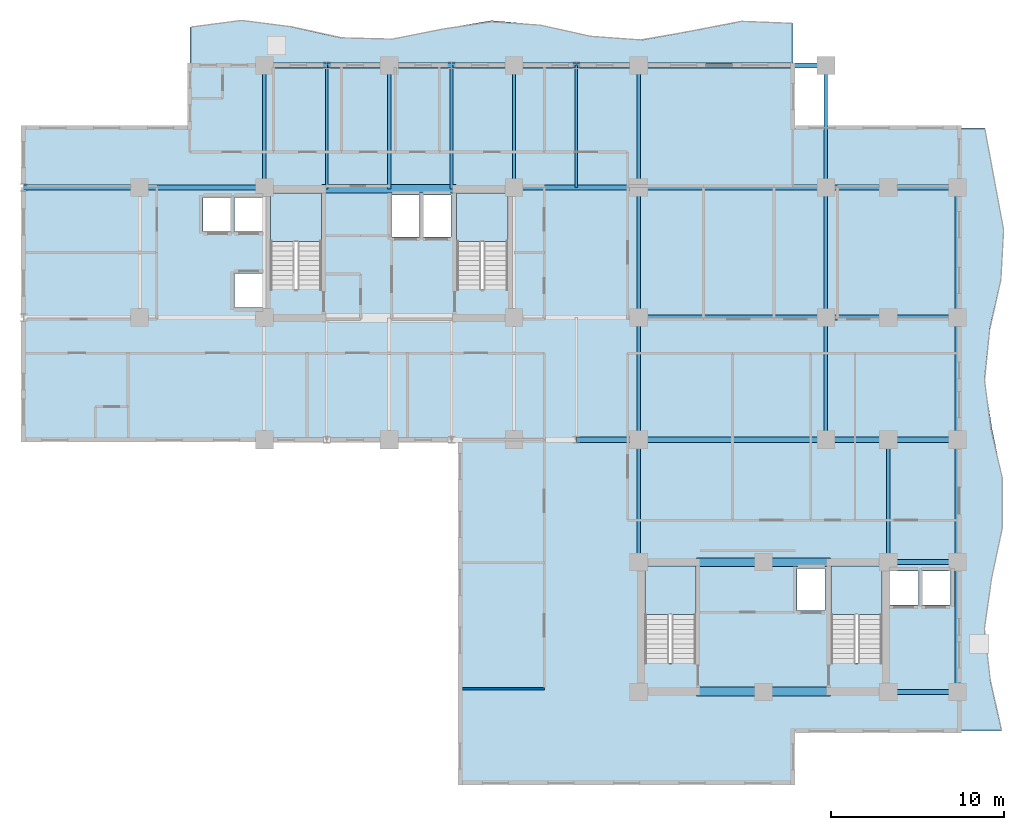
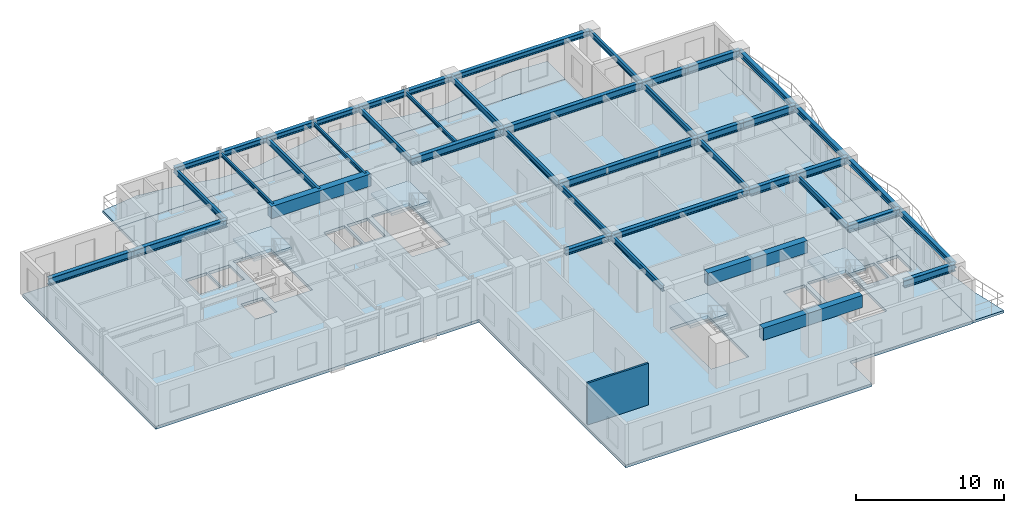
# One storey, part 3 of 13: 43 beams, 7 slabs, 1 wall, 4 elements without a shape of their own.
"""IFC4 building model written with IfcOpenShell, lengths in metres."""

from ifc_helpers import new_model, si_unit, direction, frame, frame_2d, origin, origin_2d, place, context, subcontext, project, spatial, polyline, rectangle, i_section, outline, extrude, source, transform, mapped, material, layer, layer_set, material_profile, profile_set, type_object, element, aggregate, save


model = new_model("IFC4")

# Units and contexts
model_context = context("Model", 3, precision=1e-05, world=origin(), true_north=direction((0.0, 1.0)))
body_context = subcontext(model_context, "Body", "Model", "MODEL_VIEW")
ifc_project = project(units=[si_unit("LENGTHUNIT", "METRE"), si_unit("AREAUNIT", "SQUARE_METRE"), si_unit("VOLUMEUNIT", "CUBIC_METRE"), si_unit("PLANEANGLEUNIT", "RADIAN"), si_unit("MASSUNIT", "GRAM", prefix="KILO")], contexts=[model_context])

# Site, building, storey
site_placement = place(None, origin())
site = spatial("IfcSite", under=ifc_project, at=site_placement, CompositionType="ELEMENT")
building_placement = place(site_placement, origin())
building = spatial("IfcBuilding", under=site, at=building_placement, Name="Kaliganga Portal Commons", CompositionType="ELEMENT")
storey_placement = place(building_placement, frame((0.0, 0.0, 177.199951171875)))
storey = spatial("IfcBuildingStorey", under=building, at=storey_placement, Name="L45", CompositionType="ELEMENT", Elevation=177.199951171875)

# Beams
ifc_material_1 = material(Name="Concrete C50/60", Category="concrete")
ifc_material_profile_1 = material_profile(ifc_material_1, rectangle(XDim=0.5, YDim=1.0, at=origin_2d()), Name="RC 500x1000")
ifc_profile_set_1 = profile_set([ifc_material_profile_1], Name="Concrete C50/60")
beam_type_1 = type_object("IfcBeamType", Name="BM-CPL-1000", PredefinedType="LINTEL", material=ifc_profile_set_1)
shared_shape_1 = source(origin(), body_context, "Body", "SweptSolid", [
    extrude(rectangle(XDim=0.5, YDim=1.0, at=origin_2d()), origin(), (0.0, 0.0, 1.0), 7.739990234375),
])
for number, where, z_axis, x_axis, name in (
    (1, (17.72998046875, 36.074951171875, 2.9599609375), (1.0, 0.0, 0.0), (0.0, 1.0, 0.0), "BM CPL COREA L45 N"),
    (2, (39.330078125, 7.074951171875, 2.9599609375), (1.0, 0.0, 0.0), (0.0, 1.0, 0.0), "BM CPL COREB L45 S"),
    (3, (39.330078125, 14.52490234375, 2.9599609375), (1.0, 0.0, 0.0), (0.0, 1.0, 0.0), "BM CPL COREB L45 N"),
):
    element("IfcBeam", number, at=place(storey_placement, frame(where, z_axis=z_axis, x_axis=x_axis)), inside=storey, type_object=beam_type_1, Name=name, PredefinedType="LINTEL", context=body_context, shape_type="MappedRepresentation", body=[
        mapped(shared_shape_1, transform((0.0, 0.0, 0.0), x_axis=(1.0, 0.0, 0.0), y_axis=(0.0, 1.0, 0.0), z_axis=(0.0, 0.0, 1.0), scale=1.0)),
    ])
ifc_material_2 = material(Name="Structural steel S355J2", Category="steel")
ifc_material_profile_2 = material_profile(ifc_material_2, i_section(OverallWidth=0.300048828125, OverallDepth=0.449951171875, WebThickness=0.013916015625, FlangeThickness=0.02587890625, FilletRadius=0.027099609375, at=origin_2d()), Name="HE 450 B")
ifc_profile_set_2 = profile_set([ifc_material_profile_2], Name="Structural steel S355J2 wide-flange")
beam_type_2 = type_object("IfcBeamType", Name="BM-SPAND-450", PredefinedType="SPANDREL", material=ifc_profile_set_2)
shared_shape_2 = source(origin(), body_context, "Body", "SweptSolid", [
    extrude(i_section(OverallWidth=0.300048828125, OverallDepth=0.449951171875, WebThickness=0.013916015625, FlangeThickness=0.02587890625, FilletRadius=0.027099609375, at=origin_2d()), origin(), (0.0, 0.0, 1.0), 3.60009765625),
])
for number, where, z_axis, x_axis, name in (
    (4, (14.39990234375, 43.199951171875, 3.235107421875), (1.0, 0.0, 0.0), (0.0, 1.0, 0.0), "BM SP L45 AN 1"),
    (5, (18.0, 43.199951171875, 3.235107421875), (1.0, 0.0, 0.0), (0.0, 1.0, 0.0), "BM SP L45 AN 2"),
    (6, (25.199951171875, 43.199951171875, 3.235107421875), (1.0, 0.0, 0.0), (0.0, 1.0, 0.0), "BM SP L45 AN 4"),
    (7, (32.39990234375, 43.199951171875, 3.235107421875), (1.0, 0.0, 0.0), (0.0, 1.0, 0.0), "BM SP L45 AN 6"),
    (8, (32.39990234375, 21.60009765625, 3.235107421875), (1.0, 0.0, 0.0), (0.0, 1.0, 0.0), "BM SP L45 AS 6"),
):
    element("IfcBeam", number, at=place(storey_placement, frame(where, z_axis=z_axis, x_axis=x_axis)), inside=storey, type_object=beam_type_2, Name=name, PredefinedType="SPANDREL", context=body_context, shape_type="MappedRepresentation", body=[
        mapped(shared_shape_2, transform((0.0, 0.0, 0.0), x_axis=(1.0, 0.0, 0.0), y_axis=(0.0, 1.0, 0.0), z_axis=(0.0, 0.0, 1.0), scale=1.0)),
    ])
shared_shape_3 = source(origin(), body_context, "Body", "SweptSolid", [
    extrude(i_section(OverallWidth=0.300048828125, OverallDepth=0.449951171875, WebThickness=0.013916015625, FlangeThickness=0.02587890625, FilletRadius=0.027099609375, at=origin_2d()), origin(), (0.0, 0.0, 1.0), 3.599853515625),
])
for number, where, z_axis, x_axis, name in (
    (9, (21.60009765625, 43.199951171875, 3.235107421875), (1.0, 0.0, 0.0), (0.0, 1.0, 0.0), "BM SP L45 AN 3"),
    (10, (28.800048828125, 43.199951171875, 3.235107421875), (1.0, 0.0, 0.0), (0.0, 1.0, 0.0), "BM SP L45 AN 5"),
):
    element("IfcBeam", number, at=place(storey_placement, frame(where, z_axis=z_axis, x_axis=x_axis)), inside=storey, type_object=beam_type_2, Name=name, PredefinedType="SPANDREL", context=body_context, shape_type="MappedRepresentation", body=[
        mapped(shared_shape_3, transform((0.0, 0.0, 0.0), x_axis=(1.0, 0.0, 0.0), y_axis=(0.0, 1.0, 0.0), z_axis=(0.0, 0.0, 1.0), scale=1.0)),
    ])
shared_shape_4 = source(origin(), body_context, "Body", "SweptSolid", [
    extrude(i_section(OverallWidth=0.300048828125, OverallDepth=0.449951171875, WebThickness=0.013916015625, FlangeThickness=0.02587890625, FilletRadius=0.027099609375, at=origin_2d()), origin(), (0.0, 0.0, 1.0), 10.800048828125),
])
for number, where, z_axis, x_axis, name in (
    (11, (36.0, 43.199951171875, 3.235107421875), (1.0, 0.0, 0.0), (0.0, 1.0, 0.0), "BM SP L45 AN 7"),
    (12, (36.0, 21.60009765625, 3.235107421875), (1.0, 0.0, 0.0), (0.0, 1.0, 0.0), "BM SP L45 AS 7"),
):
    element("IfcBeam", number, at=place(storey_placement, frame(where, z_axis=z_axis, x_axis=x_axis)), inside=storey, type_object=beam_type_2, Name=name, PredefinedType="SPANDREL", context=body_context, shape_type="MappedRepresentation", body=[
        mapped(shared_shape_4, transform((0.0, 0.0, 0.0), x_axis=(1.0, 0.0, 0.0), y_axis=(0.0, 1.0, 0.0), z_axis=(0.0, 0.0, 1.0), scale=1.0)),
    ])
shared_shape_5 = source(origin(), body_context, "Body", "SweptSolid", [
    extrude(i_section(OverallWidth=0.300048828125, OverallDepth=0.449951171875, WebThickness=0.013916015625, FlangeThickness=0.02587890625, FilletRadius=0.027099609375, at=origin_2d()), origin(), (0.0, 0.0, 1.0), 7.5),
])
for number, where, z_axis, x_axis, name in (
    (13, (54.39990234375, 7.050048828125, 3.235107421875), (0.0, 1.0, 0.0), (-1.0, 0.0, 0.0), "BM SP L45 BE 1"),
    (14, (54.39990234375, 28.64990234375, 3.235107421875), (0.0, 1.0, 0.0), (-1.0, 0.0, 0.0), "BM SP L45 BE 4"),
):
    element("IfcBeam", number, at=place(storey_placement, frame(where, z_axis=z_axis, x_axis=x_axis)), inside=storey, type_object=beam_type_2, Name=name, PredefinedType="SPANDREL", context=body_context, shape_type="MappedRepresentation", body=[
        mapped(shared_shape_5, transform((0.0, 0.0, 0.0), x_axis=(1.0, 0.0, 0.0), y_axis=(0.0, 1.0, 0.0), z_axis=(0.0, 0.0, 1.0), scale=1.0)),
    ])
shared_shape_6 = source(origin(), body_context, "Body", "SweptSolid", [
    extrude(i_section(OverallWidth=0.300048828125, OverallDepth=0.449951171875, WebThickness=0.013916015625, FlangeThickness=0.02587890625, FilletRadius=0.027099609375, at=origin_2d()), origin(), (0.0, 0.0, 1.0), 7.050048828125),
])
beam_1_placement = place(storey_placement, frame((54.39990234375, 14.550048828125, 3.235107421875), z_axis=(0.0, 1.0, 0.0), x_axis=(-1.0, 0.0, 0.0)))
element("IfcBeam", 15, at=beam_1_placement, inside=storey, type_object=beam_type_2, Name="BM SP L45 BE 2", PredefinedType="SPANDREL", context=body_context, shape_type="MappedRepresentation", body=[
    mapped(shared_shape_6, transform((0.0, 0.0, 0.0), x_axis=(1.0, 0.0, 0.0), y_axis=(0.0, 1.0, 0.0), z_axis=(0.0, 0.0, 1.0), scale=1.0)),
])
shared_shape_7 = source(origin(), body_context, "Body", "SweptSolid", [
    extrude(i_section(OverallWidth=0.300048828125, OverallDepth=0.449951171875, WebThickness=0.013916015625, FlangeThickness=0.02587890625, FilletRadius=0.027099609375, at=origin_2d()), origin(), (0.0, 0.0, 1.0), 7.0498046875),
])
beam_2_placement = place(storey_placement, frame((54.39990234375, 21.60009765625, 3.235107421875), z_axis=(0.0, 1.0, 0.0), x_axis=(-1.0, 0.0, 0.0)))
element("IfcBeam", 16, at=beam_2_placement, inside=storey, type_object=beam_type_2, Name="BM SP L45 BE 3", PredefinedType="SPANDREL", context=body_context, shape_type="MappedRepresentation", body=[
    mapped(shared_shape_7, transform((0.0, 0.0, 0.0), x_axis=(1.0, 0.0, 0.0), y_axis=(0.0, 1.0, 0.0), z_axis=(0.0, 0.0, 1.0), scale=1.0)),
])
ifc_material_profile_3 = material_profile(ifc_material_2, i_section(OverallWidth=0.300048828125, OverallDepth=0.60009765625, WebThickness=0.015380859375, FlangeThickness=0.030029296875, FilletRadius=0.027099609375, at=origin_2d()), Name="HE 600 B")
ifc_profile_set_3 = profile_set([ifc_material_profile_3], Name="Structural steel S355J2 wide-flange")
beam_type_3 = type_object("IfcBeamType", Name="BM-GIRD-600", PredefinedType="USERDEFINED", material=ifc_profile_set_3)
shared_shape_8 = source(origin(), body_context, "Body", "SweptSolid", [
    extrude(i_section(OverallWidth=0.300048828125, OverallDepth=0.60009765625, WebThickness=0.015380859375, FlangeThickness=0.030029296875, FilletRadius=0.027099609375, at=origin_2d()), origin(), (0.0, 0.0, 1.0), 6.699951171875),
])
beam_3_placement = place(storey_placement, frame((0.5, 36.14990234375, 3.16015625), z_axis=(1.0, 0.0, 0.0), x_axis=(0.0, 1.0, 0.0)))
element("IfcBeam", 17, at=beam_3_placement, inside=storey, type_object=beam_type_3, Name="BM G L45 WAH_N 1", ObjectType="GIRDER", PredefinedType="USERDEFINED", context=body_context, shape_type="MappedRepresentation", body=[
    mapped(shared_shape_8, transform((0.0, 0.0, 0.0), x_axis=(1.0, 0.0, 0.0), y_axis=(0.0, 1.0, 0.0), z_axis=(0.0, 0.0, 1.0), scale=1.0)),
])
shared_shape_9 = source(origin(), body_context, "Body", "SweptSolid", [
    extrude(i_section(OverallWidth=0.300048828125, OverallDepth=0.60009765625, WebThickness=0.015380859375, FlangeThickness=0.030029296875, FilletRadius=0.027099609375, at=origin_2d()), origin(), (0.0, 0.0, 1.0), 7.199951171875),
])
for number, where, z_axis, x_axis, name in (
    (18, (7.199951171875, 36.14990234375, 3.16015625), (1.0, 0.0, 0.0), (0.0, 1.0, 0.0), "BM G L45 WAH_N 2"),
    (19, (28.800048828125, 36.14990234375, 3.16015625), (1.0, 0.0, 0.0), (0.0, 1.0, 0.0), "BM G L45 WAE_N 1"),
):
    element("IfcBeam", number, at=place(storey_placement, frame(where, z_axis=z_axis, x_axis=x_axis)), inside=storey, type_object=beam_type_3, Name=name, ObjectType="GIRDER", PredefinedType="USERDEFINED", context=body_context, shape_type="MappedRepresentation", body=[
        mapped(shared_shape_9, transform((0.0, 0.0, 0.0), x_axis=(1.0, 0.0, 0.0), y_axis=(0.0, 1.0, 0.0), z_axis=(0.0, 0.0, 1.0), scale=1.0)),
    ])
shared_shape_10 = source(origin(), body_context, "Body", "SweptSolid", [
    extrude(i_section(OverallWidth=0.300048828125, OverallDepth=0.60009765625, WebThickness=0.015380859375, FlangeThickness=0.030029296875, FilletRadius=0.027099609375, at=origin_2d()), origin(), (0.0, 0.0, 1.0), 10.800048828125),
])
for number, where, z_axis, x_axis, name in (
    (20, (36.0, 28.64990234375, 3.16015625), (1.0, 0.0, 0.0), (0.0, 1.0, 0.0), "BM G L45 WAE_S 2"),
    (21, (36.0, 36.14990234375, 3.16015625), (1.0, 0.0, 0.0), (0.0, 1.0, 0.0), "BM G L45 WAE_N 2"),
):
    element("IfcBeam", number, at=place(storey_placement, frame(where, z_axis=z_axis, x_axis=x_axis)), inside=storey, type_object=beam_type_3, Name=name, ObjectType="GIRDER", PredefinedType="USERDEFINED", context=body_context, shape_type="MappedRepresentation", body=[
        mapped(shared_shape_10, transform((0.0, 0.0, 0.0), x_axis=(1.0, 0.0, 0.0), y_axis=(0.0, 1.0, 0.0), z_axis=(0.0, 0.0, 1.0), scale=1.0)),
    ])
shared_shape_11 = source(origin(), body_context, "Body", "SweptSolid", [
    extrude(i_section(OverallWidth=0.300048828125, OverallDepth=0.60009765625, WebThickness=0.015380859375, FlangeThickness=0.030029296875, FilletRadius=0.027099609375, at=origin_2d()), origin(), (0.0, 0.0, 1.0), 4.0),
])
for number, where, z_axis, x_axis, name in (
    (22, (50.39990234375, 7.050048828125, 3.16015625), (1.0, 0.0, 0.0), (0.0, 1.0, 0.0), "BM G L45 BKE70 1"),
    (23, (50.39990234375, 14.550048828125, 3.16015625), (1.0, 0.0, 0.0), (0.0, 1.0, 0.0), "BM G L45 BKE146 1"),
    (24, (50.39990234375, 21.60009765625, 3.16015625), (1.0, 0.0, 0.0), (0.0, 1.0, 0.0), "BM G L45 BKE216 2"),
    (25, (50.39990234375, 28.64990234375, 3.16015625), (1.0, 0.0, 0.0), (0.0, 1.0, 0.0), "BM G L45 BKE286 2"),
    (26, (50.39990234375, 36.14990234375, 3.16015625), (1.0, 0.0, 0.0), (0.0, 1.0, 0.0), "BM G L45 BKE362 2"),
):
    element("IfcBeam", number, at=place(storey_placement, frame(where, z_axis=z_axis, x_axis=x_axis)), inside=storey, type_object=beam_type_3, Name=name, ObjectType="GIRDER", PredefinedType="USERDEFINED", context=body_context, shape_type="MappedRepresentation", body=[
        mapped(shared_shape_11, transform((0.0, 0.0, 0.0), x_axis=(1.0, 0.0, 0.0), y_axis=(0.0, 1.0, 0.0), z_axis=(0.0, 0.0, 1.0), scale=1.0)),
    ])
shared_shape_12 = source(origin(), body_context, "Body", "SweptSolid", [
    extrude(i_section(OverallWidth=0.300048828125, OverallDepth=0.60009765625, WebThickness=0.015380859375, FlangeThickness=0.030029296875, FilletRadius=0.027099609375, at=origin_2d()), origin(), (0.0, 0.0, 1.0), 3.599853515625),
])
for number, where, z_axis, x_axis, name in (
    (27, (46.800048828125, 21.60009765625, 3.16015625), (1.0, 0.0, 0.0), (0.0, 1.0, 0.0), "BM G L45 BKE216 1"),
    (28, (46.800048828125, 28.64990234375, 3.16015625), (1.0, 0.0, 0.0), (0.0, 1.0, 0.0), "BM G L45 BKE286 1"),
    (29, (46.800048828125, 36.14990234375, 3.16015625), (1.0, 0.0, 0.0), (0.0, 1.0, 0.0), "BM G L45 BKE362 1"),
):
    element("IfcBeam", number, at=place(storey_placement, frame(where, z_axis=z_axis, x_axis=x_axis)), inside=storey, type_object=beam_type_3, Name=name, ObjectType="GIRDER", PredefinedType="USERDEFINED", context=body_context, shape_type="MappedRepresentation", body=[
        mapped(shared_shape_12, transform((0.0, 0.0, 0.0), x_axis=(1.0, 0.0, 0.0), y_axis=(0.0, 1.0, 0.0), z_axis=(0.0, 0.0, 1.0), scale=1.0)),
    ])
ifc_material_profile_4 = material_profile(ifc_material_2, i_section(OverallWidth=0.18994140625, OverallDepth=0.449951171875, WebThickness=0.009521484375, FlangeThickness=0.0146484375, FilletRadius=0.02099609375, at=origin_2d()), Name="IPE 450")
ifc_profile_set_4 = profile_set([ifc_material_profile_4], Name="Structural steel S355J2 wide-flange")
beam_type_4 = type_object("IfcBeamType", Name="BM-FLR-450", PredefinedType="BEAM", material=ifc_profile_set_4)
shared_shape_13 = source(origin(), body_context, "Body", "SweptSolid", [
    extrude(i_section(OverallWidth=0.18994140625, OverallDepth=0.449951171875, WebThickness=0.009521484375, FlangeThickness=0.0146484375, FilletRadius=0.02099609375, at=origin_2d()), origin(), (0.0, 0.0, 1.0), 7.5),
])
for number, where, z_axis, x_axis, name in (
    (30, (36.0, 28.64990234375, 3.235107421875), (0.0, 1.0, 0.0), (-1.0, 0.0, 0.0), "BM G L45 AM360"),
    (31, (46.800048828125, 28.64990234375, 3.235107421875), (0.0, 1.0, 0.0), (-1.0, 0.0, 0.0), "BM G L45 AM468"),
):
    element("IfcBeam", number, at=place(storey_placement, frame(where, z_axis=z_axis, x_axis=x_axis)), inside=storey, type_object=beam_type_4, Name=name, PredefinedType="BEAM", context=body_context, shape_type="MappedRepresentation", body=[
        mapped(shared_shape_13, transform((0.0, 0.0, 0.0), x_axis=(1.0, 0.0, 0.0), y_axis=(0.0, 1.0, 0.0), z_axis=(0.0, 0.0, 1.0), scale=1.0)),
    ])
shared_shape_14 = source(origin(), body_context, "Body", "SweptSolid", [
    extrude(i_section(OverallWidth=0.18994140625, OverallDepth=0.449951171875, WebThickness=0.009521484375, FlangeThickness=0.0146484375, FilletRadius=0.02099609375, at=origin_2d()), origin(), (0.0, 0.0, 1.0), 7.050048828125),
])
for number, where, z_axis, x_axis, name in (
    (32, (14.39990234375, 36.14990234375, 3.235107421875), (0.0, 1.0, 0.0), (-1.0, 0.0, 0.0), "BM G L45 AN144"),
    (33, (28.800048828125, 36.14990234375, 3.235107421875), (0.0, 1.0, 0.0), (-1.0, 0.0, 0.0), "BM G L45 AN288"),
    (34, (36.0, 36.14990234375, 3.235107421875), (0.0, 1.0, 0.0), (-1.0, 0.0, 0.0), "BM G L45 AN360"),
    (35, (46.800048828125, 36.14990234375, 3.235107421875), (0.0, 1.0, 0.0), (-1.0, 0.0, 0.0), "BM G L45 AN468"),
    (36, (36.0, 14.550048828125, 3.235107421875), (0.0, 1.0, 0.0), (-1.0, 0.0, 0.0), "BM G L45 BNK360"),
    (37, (50.39990234375, 14.550048828125, 3.235107421875), (0.0, 1.0, 0.0), (-1.0, 0.0, 0.0), "BM G L45 BNK504"),
):
    element("IfcBeam", number, at=place(storey_placement, frame(where, z_axis=z_axis, x_axis=x_axis)), inside=storey, type_object=beam_type_4, Name=name, PredefinedType="BEAM", context=body_context, shape_type="MappedRepresentation", body=[
        mapped(shared_shape_14, transform((0.0, 0.0, 0.0), x_axis=(1.0, 0.0, 0.0), y_axis=(0.0, 1.0, 0.0), z_axis=(0.0, 0.0, 1.0), scale=1.0)),
    ])
shared_shape_15 = source(origin(), body_context, "Body", "SweptSolid", [
    extrude(i_section(OverallWidth=0.18994140625, OverallDepth=0.449951171875, WebThickness=0.009521484375, FlangeThickness=0.0146484375, FilletRadius=0.02099609375, at=origin_2d()), origin(), (0.0, 0.0, 1.0), 7.0498046875),
])
for number, where, z_axis, x_axis, name in (
    (38, (36.0, 21.60009765625, 3.235107421875), (0.0, 1.0, 0.0), (-1.0, 0.0, 0.0), "BM G L45 AS360"),
    (39, (46.800048828125, 21.60009765625, 3.235107421875), (0.0, 1.0, 0.0), (-1.0, 0.0, 0.0), "BM G L45 AS468"),
):
    element("IfcBeam", number, at=place(storey_placement, frame(where, z_axis=z_axis, x_axis=x_axis)), inside=storey, type_object=beam_type_4, Name=name, PredefinedType="BEAM", context=body_context, shape_type="MappedRepresentation", body=[
        mapped(shared_shape_15, transform((0.0, 0.0, 0.0), x_axis=(1.0, 0.0, 0.0), y_axis=(0.0, 1.0, 0.0), z_axis=(0.0, 0.0, 1.0), scale=1.0)),
    ])
ifc_material_profile_5 = material_profile(ifc_material_2, i_section(OverallWidth=0.14990234375, OverallDepth=0.300048828125, WebThickness=0.007080078125, FlangeThickness=0.0107421875, FilletRadius=0.014892578125, at=origin_2d()), Name="IPE 300")
ifc_profile_set_5 = profile_set([ifc_material_profile_5], Name="Structural steel S355J2 wide-flange")
beam_type_5 = type_object("IfcBeamType", Name="BM-JST-300", PredefinedType="JOIST", material=ifc_profile_set_5)
shared_shape_16 = source(origin(), body_context, "Body", "SweptSolid", [
    extrude(i_section(OverallWidth=0.14990234375, OverallDepth=0.300048828125, WebThickness=0.007080078125, FlangeThickness=0.0107421875, FilletRadius=0.014892578125, at=origin_2d()), origin(), (0.0, 0.0, 1.0), 7.125),
])
for number, where, z_axis, x_axis, name in (
    (40, (18.0, 36.074951171875, 3.31005859375), (0.0, 1.0, 0.0), (-1.0, 0.0, 0.0), "BM G L45 AN180"),
    (41, (25.199951171875, 36.074951171875, 3.31005859375), (0.0, 1.0, 0.0), (-1.0, 0.0, 0.0), "BM G L45 AN252"),
):
    element("IfcBeam", number, at=place(storey_placement, frame(where, z_axis=z_axis, x_axis=x_axis)), inside=storey, type_object=beam_type_5, Name=name, PredefinedType="JOIST", context=body_context, shape_type="MappedRepresentation", body=[
        mapped(shared_shape_16, transform((0.0, 0.0, 0.0), x_axis=(1.0, 0.0, 0.0), y_axis=(0.0, 1.0, 0.0), z_axis=(0.0, 0.0, 1.0), scale=1.0)),
    ])
shared_shape_17 = source(origin(), body_context, "Body", "SweptSolid", [
    extrude(i_section(OverallWidth=0.18994140625, OverallDepth=0.449951171875, WebThickness=0.009521484375, FlangeThickness=0.0146484375, FilletRadius=0.02099609375, at=origin_2d()), origin(), (0.0, 0.0, 1.0), 7.125),
])
beam_4_placement = place(storey_placement, frame((21.60009765625, 36.074951171875, 3.235107421875), z_axis=(0.0, 1.0, 0.0), x_axis=(-1.0, 0.0, 0.0)))
element("IfcBeam", 42, at=beam_4_placement, inside=storey, type_object=beam_type_4, Name="BM G L45 AN216", PredefinedType="BEAM", context=body_context, shape_type="MappedRepresentation", body=[
    mapped(shared_shape_17, transform((0.0, 0.0, 0.0), x_axis=(1.0, 0.0, 0.0), y_axis=(0.0, 1.0, 0.0), z_axis=(0.0, 0.0, 1.0), scale=1.0)),
])
shared_shape_18 = source(origin(), body_context, "Body", "SweptSolid", [
    extrude(i_section(OverallWidth=0.14990234375, OverallDepth=0.300048828125, WebThickness=0.007080078125, FlangeThickness=0.0107421875, FilletRadius=0.014892578125, at=origin_2d()), origin(), (0.0, 0.0, 1.0), 7.050048828125),
])
beam_5_placement = place(storey_placement, frame((32.39990234375, 36.14990234375, 3.31005859375), z_axis=(0.0, 1.0, 0.0), x_axis=(-1.0, 0.0, 0.0)))
element("IfcBeam", 43, at=beam_5_placement, inside=storey, type_object=beam_type_5, Name="BM G L45 AN324", PredefinedType="JOIST", context=body_context, shape_type="MappedRepresentation", body=[
    mapped(shared_shape_18, transform((0.0, 0.0, 0.0), x_axis=(1.0, 0.0, 0.0), y_axis=(0.0, 1.0, 0.0), z_axis=(0.0, 0.0, 1.0), scale=1.0)),
])

# Slabs
ifc_material_3 = material(Name="Concrete C40/50", Category="concrete")
ifc_layer_1 = layer(ifc_material_3, 0.2099609375)
ifc_layer_set_1 = layer_set([ifc_layer_1], Name="Concrete C40/50")
slab_type_1 = type_object("IfcSlabType", Name="SLB-BALC-210", PredefinedType="FLOOR", material=ifc_layer_set_1)
slab_1_placement = place(storey_placement, frame((0.0, 0.0, -0.2099609375)))
element("IfcSlab", 44, at=slab_1_placement, inside=storey, type_object=slab_type_1, Name="Scalloped Tree-Planter Balcony Slab L45 balc_north", PredefinedType="FLOOR", context=body_context, shape_type="SweptSolid", body=[
    extrude(outline(polyline([(44.89990234375, 43.199951171875), (44.89990234375, 45.630615234375), (42.0, 45.74755859375), (39.10009765625, 45.17919921875), (36.199951171875, 44.666015625), (33.300048828125, 44.87646484375), (30.39990234375, 45.53662109375), (27.5, 45.7861328125), (24.60009765625, 45.300048828125), (21.699951171875, 44.711669921875), (18.800048828125, 44.78759765625), (15.89990234375, 45.4287109375), (13.0, 45.800048828125), (10.10009765625, 45.41748046875), (10.10009765625, 43.199951171875), (44.89990234375, 43.199951171875)])), origin(), (0.0, 0.0, 1.0), 0.2099609375),
])
slab_2_placement = place(storey_placement, frame((0.0, 0.0, -0.2099609375)))
element("IfcSlab", 45, at=slab_2_placement, inside=storey, type_object=slab_type_1, Name="Scalloped Tree-Planter Balcony Slab L45 balc_east", PredefinedType="FLOOR", context=body_context, shape_type="SweptSolid", body=[
    extrude(outline(polyline([(54.5, 4.800048828125), (56.930419921875, 4.800048828125), (56.280517578125, 7.699951171875), (55.944580078125, 10.60009765625), (56.360107421875, 13.5), (56.98583984375, 16.39990234375), (57.006591796875, 19.300048828125), (56.395263671875, 22.199951171875), (55.9482421875, 25.10009765625), (56.248046875, 28.0), (56.904052734375, 30.89990234375), (57.0615234375, 33.800048828125), (56.515380859375, 36.699951171875), (55.97705078125, 39.60009765625), (54.5, 39.60009765625), (54.5, 4.800048828125)])), origin(), (0.0, 0.0, 1.0), 0.2099609375),
])

# Stair, slab
stair_type = type_object("IfcStairType", Name="ST-CORE-DOGLEG", PredefinedType="HALF_TURN_STAIR", material=ifc_material_3)
stair_1_placement = place(storey_placement, origin())
stair_1 = element("IfcStair", 46, at=stair_1_placement, inside=storey, type_object=stair_type, Name="L45 Protected Exit Stair ST-A1", PredefinedType="HALF_TURN_STAIR")
ifc_layer_2 = layer(ifc_material_3, 0.199951171875)
ifc_layer_set_2 = layer_set([ifc_layer_2], Name="Concrete C40/50")
slab_type_2 = type_object("IfcSlabType", Name="SLB-STAIR-LND", PredefinedType="LANDING", material=ifc_layer_set_2)
slab_3_placement = place(storey_placement, frame((0.0, 0.0, 1.650146484375)))
slab_3 = element("IfcSlab", 47, at=slab_3_placement, type_object=slab_type_2, Name="ST-A1 landing 1", PredefinedType="LANDING", context=body_context, shape_type="SweptSolid", body=[
    extrude(outline(polyline([(17.699951171875, 33.050048828125), (17.699951171875, 35.85009765625), (14.75, 35.85009765625), (14.75, 33.050048828125), (17.699951171875, 33.050048828125)])), origin(), (0.0, 0.0, 1.0), 0.199951171875),
])
aggregate(stair_1, [slab_3])

stair_2_placement = place(storey_placement, origin())
stair_2 = element("IfcStair", 48, at=stair_2_placement, inside=storey, type_object=stair_type, Name="L45 Protected Exit Stair ST-A2", PredefinedType="HALF_TURN_STAIR")
slab_4_placement = place(storey_placement, frame((0.0, 0.0, 1.650146484375)))
slab_4 = element("IfcSlab", 49, at=slab_4_placement, type_object=slab_type_2, Name="ST-A2 landing 1", PredefinedType="LANDING", context=body_context, shape_type="SweptSolid", body=[
    extrude(outline(polyline([(28.449951171875, 33.050048828125), (28.449951171875, 35.85009765625), (25.5, 35.85009765625), (25.5, 33.050048828125), (28.449951171875, 33.050048828125)])), origin(), (0.0, 0.0, 1.0), 0.199951171875),
])
aggregate(stair_2, [slab_4])

stair_3_placement = place(storey_placement, origin())
stair_3 = element("IfcStair", 50, at=stair_3_placement, inside=storey, type_object=stair_type, Name="L45 Protected Exit Stair ST-B1", PredefinedType="HALF_TURN_STAIR")
slab_5_placement = place(storey_placement, frame((0.0, 0.0, 1.650146484375)))
slab_5 = element("IfcSlab", 51, at=slab_5_placement, type_object=slab_type_2, Name="ST-B1 landing 1", PredefinedType="LANDING", context=body_context, shape_type="SweptSolid", body=[
    extrude(outline(polyline([(39.300048828125, 11.5), (39.300048828125, 14.300048828125), (36.35009765625, 14.300048828125), (36.35009765625, 11.5), (39.300048828125, 11.5)])), origin(), (0.0, 0.0, 1.0), 0.199951171875),
])
aggregate(stair_3, [slab_5])

stair_4_placement = place(storey_placement, origin())
stair_4 = element("IfcStair", 52, at=stair_4_placement, inside=storey, type_object=stair_type, Name="L45 Protected Exit Stair ST-B2", PredefinedType="HALF_TURN_STAIR")
slab_6_placement = place(storey_placement, frame((0.0, 0.0, 1.650146484375)))
slab_6 = element("IfcSlab", 53, at=slab_6_placement, type_object=slab_type_2, Name="ST-B2 landing 1", PredefinedType="LANDING", context=body_context, shape_type="SweptSolid", body=[
    extrude(outline(polyline([(50.050048828125, 11.5), (50.050048828125, 14.300048828125), (47.10009765625, 14.300048828125), (47.10009765625, 11.5), (50.050048828125, 11.5)])), origin(), (0.0, 0.0, 1.0), 0.199951171875),
])
aggregate(stair_4, [slab_6])

# Slab
ifc_layer_3 = layer(ifc_material_3, 0.239990234375)
ifc_layer_set_3 = layer_set([ifc_layer_3], Name="Concrete C40/50")
slab_type_3 = type_object("IfcSlabType", Name="SLB-TWR-240", PredefinedType="FLOOR", material=ifc_layer_set_3)
slab_7_placement = place(storey_placement, frame((0.0, 0.0, -0.239990234375)))
element("IfcSlab", 54, at=slab_7_placement, inside=storey, type_object=slab_type_3, Name="Structural Floor Slab L45", PredefinedType="FLOOR", context=body_context, shape_type="SweptSolid", body=[
    extrude(outline(polyline([(25.699951171875, 1.800048828125), (44.89990234375, 1.800048828125), (44.89990234375, 4.800048828125), (54.5, 4.800048828125), (54.5, 39.60009765625), (44.89990234375, 39.60009765625), (44.89990234375, 43.199951171875), (10.10009765625, 43.199951171875), (10.10009765625, 39.60009765625), (0.5, 39.60009765625), (0.5, 21.60009765625), (25.699951171875, 21.60009765625), (25.699951171875, 1.800048828125)]), holes=[polyline([(14.75, 30.25390625), (14.75, 35.85009765625), (17.699951171875, 35.85009765625), (17.699951171875, 30.25390625), (14.75, 30.25390625)]), polyline([(25.5, 30.25390625), (25.5, 35.85009765625), (28.449951171875, 35.85009765625), (28.449951171875, 30.25390625), (25.5, 30.25390625)]), polyline([(36.35009765625, 8.7041015625), (36.35009765625, 14.300048828125), (39.300048828125, 14.300048828125), (39.300048828125, 8.7041015625), (36.35009765625, 8.7041015625)]), polyline([(47.10009765625, 8.7041015625), (47.10009765625, 14.300048828125), (50.050048828125, 14.300048828125), (50.050048828125, 8.7041015625), (47.10009765625, 8.7041015625)]), polyline([(12.6650390625, 33.614990234375), (12.6650390625, 35.5849609375), (14.3349609375, 35.5849609375), (14.3349609375, 33.614990234375), (12.6650390625, 33.614990234375)]), polyline([(12.6650390625, 29.215087890625), (12.6650390625, 31.18505859375), (14.3349609375, 31.18505859375), (14.3349609375, 29.215087890625), (12.6650390625, 29.215087890625)]), polyline([(10.864990234375, 33.614990234375), (10.864990234375, 35.5849609375), (12.534912109375, 35.5849609375), (12.534912109375, 33.614990234375), (10.864990234375, 33.614990234375)]), polyline([(21.739990234375, 33.2900390625), (21.739990234375, 35.7099609375), (23.360107421875, 35.7099609375), (23.360107421875, 33.2900390625), (21.739990234375, 33.2900390625)]), polyline([(23.5400390625, 33.2900390625), (23.5400390625, 35.7099609375), (25.159912109375, 35.7099609375), (25.159912109375, 33.2900390625), (23.5400390625, 33.2900390625)]), polyline([(50.465087890625, 12.06494140625), (50.465087890625, 14.034912109375), (52.135009765625, 14.034912109375), (52.135009765625, 12.06494140625), (50.465087890625, 12.06494140625)]), polyline([(52.31494140625, 12.06494140625), (52.31494140625, 14.034912109375), (53.985107421875, 14.034912109375), (53.985107421875, 12.06494140625), (52.31494140625, 12.06494140625)]), polyline([(45.139892578125, 11.739990234375), (45.139892578125, 14.159912109375), (46.760009765625, 14.159912109375), (46.760009765625, 11.739990234375), (45.139892578125, 11.739990234375)])]), origin(), (0.0, 0.0, 1.0), 0.239990234375),
])

# Wall
ifc_material_4 = material(Name="Fire-Rated Gypsum Board on Steel Stud", Category="steel")
ifc_layer_4 = layer(ifc_material_4, 0.14990234375)
ifc_layer_set_4 = layer_set([ifc_layer_4], Name="Fire-Rated Gypsum Board on Steel Stud")
wall_type = type_object("IfcWallType", Name="WL-PART-CORR-150", PredefinedType="PARTITIONING", material=ifc_layer_set_4)
wall_placement = place(storey_placement, frame((25.83203125, 7.239990234375, 0.0), z_axis=(0.0, 0.0, 1.0), x_axis=(1.0, 0.0, 0.0)))
element("IfcWall", 55, at=wall_placement, inside=storey, type_object=wall_type, Name="Interior Partition L45-026", PredefinedType="PARTITIONING", context=body_context, shape_type="SweptSolid", body=[
    extrude(rectangle(XDim=4.72802734375, YDim=0.14990234375, at=frame_2d((2.364013671875, 0.0))), origin(), (0.0, 0.0, 1.0), 3.43994140625),
])

save(model, "model.ifc")
